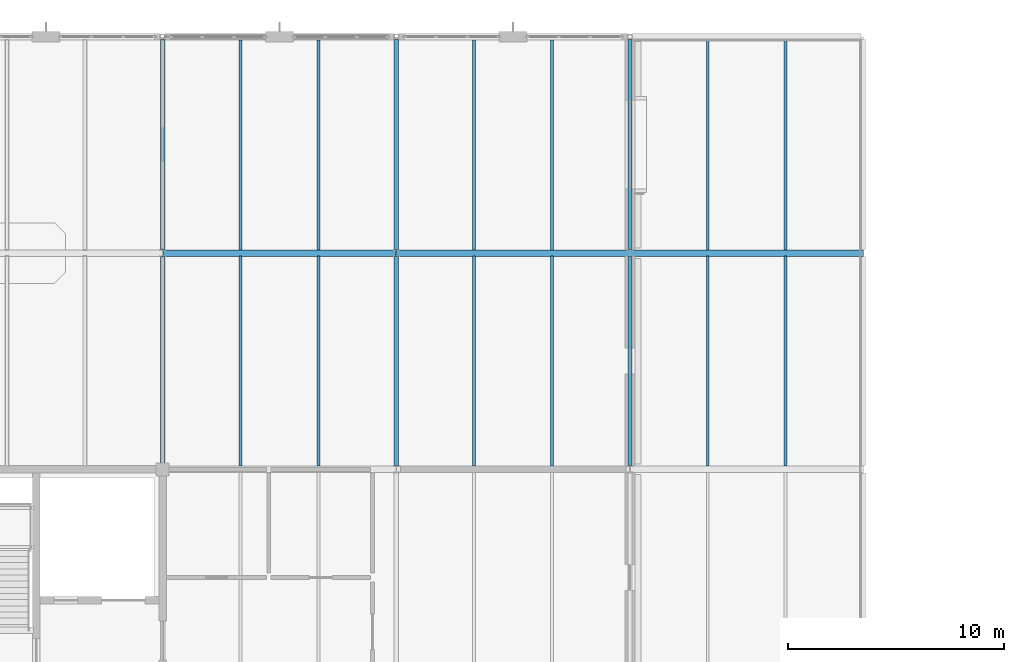
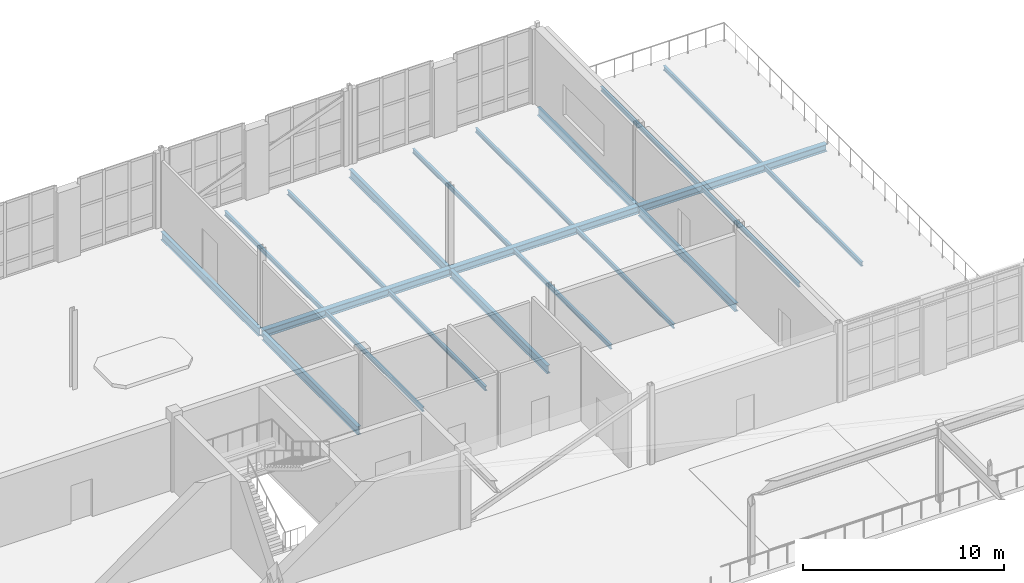
# One storey, part 52 of 86: 21 beams.
"""IFC4 building model written with IfcOpenShell, lengths in metres."""

from ifc_helpers import new_model, si_unit, direction, frame, origin, origin_2d, place, context, subcontext, project, spatial, i_section, extrude, material, material_profile, profile_set, type_object, element, save


model = new_model("IFC4")

# Units and contexts
model_context = context("Model", 3, precision=1e-05, world=origin(), true_north=direction((0.0, 1.0)))
body_context = subcontext(model_context, "Body", "Model", "MODEL_VIEW")
ifc_project = project(units=[si_unit("LENGTHUNIT", "METRE"), si_unit("AREAUNIT", "SQUARE_METRE"), si_unit("VOLUMEUNIT", "CUBIC_METRE"), si_unit("PLANEANGLEUNIT", "RADIAN"), si_unit("MASSUNIT", "GRAM", prefix="KILO")], contexts=[model_context])

# Site, building, storey
site_placement = place(None, origin())
site = spatial("IfcSite", under=ifc_project, at=site_placement, CompositionType="ELEMENT")
building_placement = place(site_placement, origin())
building = spatial("IfcBuilding", under=site, at=building_placement, Name="Tasgan Crest Museum", CompositionType="ELEMENT")
storey_placement = place(building_placement, frame((0.0, 0.0, 24.0)))
storey = spatial("IfcBuildingStorey", under=building, at=storey_placement, Name="L04", CompositionType="ELEMENT", Elevation=24.0)

# Beams
ifc_material_1 = material(Name="Steel S355J2", Category="steel")
ifc_material_profile_1 = material_profile(ifc_material_1, i_section(OverallWidth=0.300048828125, OverallDepth=0.43994140625, WebThickness=0.011474609375, FlangeThickness=0.02099609375, FilletRadius=0.027099609375, at=origin_2d()), Name="HEA 450")
ifc_profile_set_1 = profile_set([ifc_material_profile_1], Name="Steel S355J2")
beam_type_1 = type_object("IfcBeamType", Name="BM-G-HEA450", PredefinedType="BEAM", material=ifc_profile_set_1)
for number, where, z_axis, x_axis, name in (
    (1, (64.803955078125, 102.0, -0.4599609375), (1.0, 0.0, 0.0), (0.0, 1.0, 0.0), "Girder L04 L 64.8-75.6"),
    (2, (75.60400390625, 102.0, -0.4599609375), (1.0, 0.0, 0.0), (0.0, 1.0, 0.0), "Girder L04 L 75.6-86.4"),
    (3, (86.404052734375, 102.0, -0.469970703125), (1.0, 0.0, 0.0), (0.0, 1.0, 0.0), "Girder L04 L 86.4-97.2"),
):
    element("IfcBeam", number, at=place(storey_placement, frame(where, z_axis=z_axis, x_axis=x_axis)), inside=storey, type_object=beam_type_1, Name=name, PredefinedType="BEAM", context=body_context, shape_type="SweptSolid", body=[
        extrude(i_section(OverallWidth=0.300048828125, OverallDepth=0.43994140625, WebThickness=0.011474609375, FlangeThickness=0.02099609375, FilletRadius=0.027099609375, at=origin_2d()), origin(), (0.0, 0.0, 1.0), 10.7919921875),
    ])
ifc_material_2 = material(Name="Steel S355J2", Category="steel")
ifc_material_profile_2 = material_profile(ifc_material_2, i_section(OverallWidth=0.199951171875, OverallDepth=0.5, WebThickness=0.01025390625, FlangeThickness=0.01611328125, FilletRadius=0.02099609375, at=origin_2d()), Name="IPE 500")
ifc_profile_set_2 = profile_set([ifc_material_profile_2], Name="Steel S355J2")
beam_type_2 = type_object("IfcBeamType", Name="BM-G-IPE500", PredefinedType="BEAM", material=ifc_profile_set_2)
beam_1_placement = place(storey_placement, frame((64.800048828125, 92.294921875, -0.489990234375), z_axis=(0.0, 1.0, 0.0), x_axis=(-1.0, 0.0, 0.0)))
element("IfcBeam", 4, at=beam_1_placement, inside=storey, type_object=beam_type_2, Name="Beam L04 7 92.0-102.0", PredefinedType="BEAM", context=body_context, shape_type="SweptSolid", body=[
    extrude(i_section(OverallWidth=0.199951171875, OverallDepth=0.5, WebThickness=0.01025390625, FlangeThickness=0.01611328125, FilletRadius=0.02099609375, at=origin_2d()), origin(), (0.0, 0.0, 1.0), 9.53515625),
])
beam_2_placement = place(storey_placement, frame((64.800048828125, 102.169921875, -0.489990234375), z_axis=(0.0, 1.0, 0.0), x_axis=(-1.0, 0.0, 0.0)))
element("IfcBeam", 5, at=beam_2_placement, inside=storey, type_object=beam_type_2, Name="Beam L04 7 102.0-112.0", PredefinedType="BEAM", context=body_context, shape_type="SweptSolid", body=[
    extrude(i_section(OverallWidth=0.199951171875, OverallDepth=0.5, WebThickness=0.01025390625, FlangeThickness=0.01611328125, FilletRadius=0.02099609375, at=origin_2d()), origin(), (0.0, 0.0, 1.0), 9.705078125),
])
beam_3_placement = place(storey_placement, frame((75.60009765625, 92.169921875, -0.489990234375), z_axis=(0.0, 1.0, 0.0), x_axis=(-1.0, 0.0, 0.0)))
element("IfcBeam", 6, at=beam_3_placement, inside=storey, type_object=beam_type_2, Name="Beam L04 8 92.0-102.0", PredefinedType="BEAM", context=body_context, shape_type="SweptSolid", body=[
    extrude(i_section(OverallWidth=0.199951171875, OverallDepth=0.5, WebThickness=0.01025390625, FlangeThickness=0.01611328125, FilletRadius=0.02099609375, at=origin_2d()), origin(), (0.0, 0.0, 1.0), 9.66015625),
])
beam_4_placement = place(storey_placement, frame((75.60009765625, 102.169921875, -0.489990234375), z_axis=(0.0, 1.0, 0.0), x_axis=(-1.0, 0.0, 0.0)))
element("IfcBeam", 7, at=beam_4_placement, inside=storey, type_object=beam_type_2, Name="Beam L04 8 102.0-112.0", PredefinedType="BEAM", context=body_context, shape_type="SweptSolid", body=[
    extrude(i_section(OverallWidth=0.199951171875, OverallDepth=0.5, WebThickness=0.01025390625, FlangeThickness=0.01611328125, FilletRadius=0.02099609375, at=origin_2d()), origin(), (0.0, 0.0, 1.0), 9.705078125),
])
beam_5_placement = place(storey_placement, frame((86.39990234375, 92.169921875, -0.5), z_axis=(0.0, 1.0, 0.0), x_axis=(-1.0, 0.0, 0.0)))
element("IfcBeam", 8, at=beam_5_placement, inside=storey, type_object=beam_type_2, Name="Beam L04 9 92.0-102.0", PredefinedType="BEAM", context=body_context, shape_type="SweptSolid", body=[
    extrude(i_section(OverallWidth=0.199951171875, OverallDepth=0.5, WebThickness=0.01025390625, FlangeThickness=0.01611328125, FilletRadius=0.02099609375, at=origin_2d()), origin(), (0.0, 0.0, 1.0), 9.66015625),
])
beam_6_placement = place(storey_placement, frame((86.39990234375, 102.169921875, -0.5), z_axis=(0.0, 1.0, 0.0), x_axis=(-1.0, 0.0, 0.0)))
element("IfcBeam", 9, at=beam_6_placement, inside=storey, type_object=beam_type_2, Name="Beam L04 9 102.0-112.0", PredefinedType="BEAM", context=body_context, shape_type="SweptSolid", body=[
    extrude(i_section(OverallWidth=0.199951171875, OverallDepth=0.5, WebThickness=0.01025390625, FlangeThickness=0.01611328125, FilletRadius=0.02099609375, at=origin_2d()), origin(), (0.0, 0.0, 1.0), 9.705078125),
])
ifc_material_3 = material(Name="Steel S355J2", Category="steel")
ifc_material_profile_3 = material_profile(ifc_material_3, i_section(OverallWidth=0.135009765625, OverallDepth=0.27001953125, WebThickness=0.006591796875, FlangeThickness=0.01025390625, FilletRadius=0.014892578125, at=origin_2d()), Name="IPE 270")
ifc_profile_set_3 = profile_set([ifc_material_profile_3], Name="Steel S355J2")
beam_type_3 = type_object("IfcBeamType", Name="BM-J-IPE270", PredefinedType="JOIST", material=ifc_profile_set_3)
for number, where, z_axis, x_axis, name in (
    (10, (68.39990234375, 92.14501953125, -0.375), (0.0, 1.0, 0.0), (-1.0, 0.0, 0.0), "Secondary joist L04 X=68.4 Y=92.0-102.0"),
    (11, (72.0, 92.14501953125, -0.375), (0.0, 1.0, 0.0), (-1.0, 0.0, 0.0), "Secondary joist L04 X=72.0 Y=92.0-102.0"),
    (12, (68.39990234375, 102.14501953125, -0.375), (0.0, 1.0, 0.0), (-1.0, 0.0, 0.0), "Secondary joist L04 X=68.4 Y=102.0-112.0"),
    (13, (72.0, 102.14501953125, -0.375), (0.0, 1.0, 0.0), (-1.0, 0.0, 0.0), "Secondary joist L04 X=72.0 Y=102.0-112.0"),
    (14, (79.199951171875, 92.14501953125, -0.375), (0.0, 1.0, 0.0), (-1.0, 0.0, 0.0), "Secondary joist L04 X=79.2 Y=92.0-102.0"),
    (15, (82.800048828125, 92.14501953125, -0.375), (0.0, 1.0, 0.0), (-1.0, 0.0, 0.0), "Secondary joist L04 X=82.8 Y=92.0-102.0"),
    (16, (79.199951171875, 102.14501953125, -0.375), (0.0, 1.0, 0.0), (-1.0, 0.0, 0.0), "Secondary joist L04 X=79.2 Y=102.0-112.0"),
    (17, (82.800048828125, 102.14501953125, -0.375), (0.0, 1.0, 0.0), (-1.0, 0.0, 0.0), "Secondary joist L04 X=82.8 Y=102.0-112.0"),
    (18, (90.0, 92.14501953125, -0.385009765625), (0.0, 1.0, 0.0), (-1.0, 0.0, 0.0), "Secondary joist L04 X=90.0 Y=92.0-102.0"),
    (19, (93.60009765625, 92.14501953125, -0.385009765625), (0.0, 1.0, 0.0), (-1.0, 0.0, 0.0), "Secondary joist L04 X=93.6 Y=92.0-102.0"),
    (20, (90.0, 102.14501953125, -0.385009765625), (0.0, 1.0, 0.0), (-1.0, 0.0, 0.0), "Secondary joist L04 X=90.0 Y=102.0-112.0"),
    (21, (93.60009765625, 102.14501953125, -0.385009765625), (0.0, 1.0, 0.0), (-1.0, 0.0, 0.0), "Secondary joist L04 X=93.6 Y=102.0-112.0"),
):
    element("IfcBeam", number, at=place(storey_placement, frame(where, z_axis=z_axis, x_axis=x_axis)), inside=storey, type_object=beam_type_3, Name=name, PredefinedType="JOIST", context=body_context, shape_type="SweptSolid", body=[
        extrude(i_section(OverallWidth=0.135009765625, OverallDepth=0.27001953125, WebThickness=0.006591796875, FlangeThickness=0.01025390625, FilletRadius=0.014892578125, at=origin_2d()), origin(), (0.0, 0.0, 1.0), 9.7099609375),
    ])

save(model, "model.ifc")
